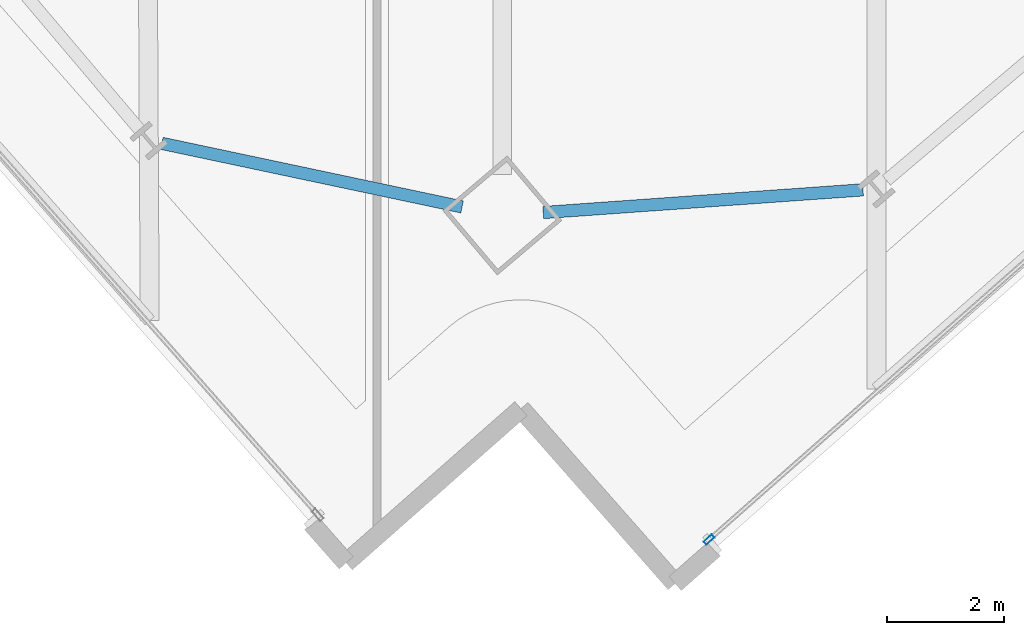
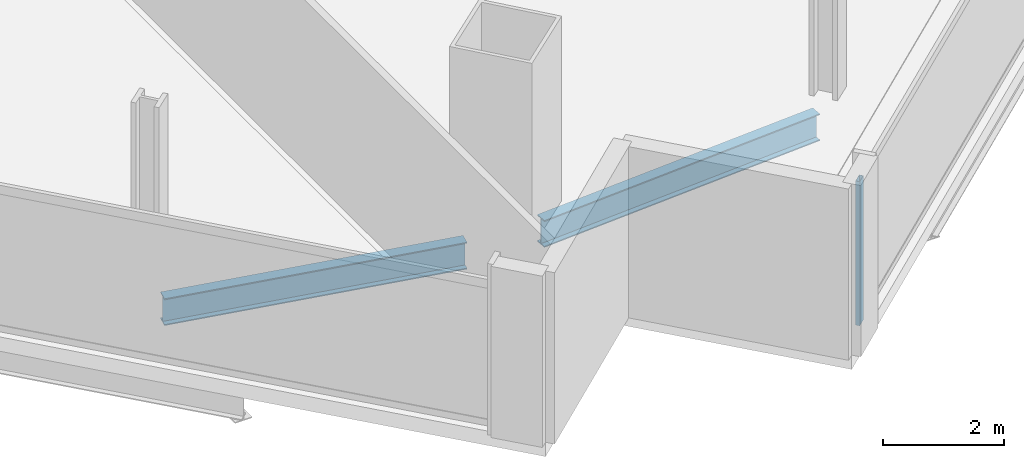
# One storey, part 3 of 34: 2 beams, 1 member, 1 element without a shape of its own.
"""IFC4 building model written with IfcOpenShell, lengths in metres."""

from ifc_helpers import new_model, si_unit, direction, frame, origin, origin_2d, place, context, subcontext, project, spatial, hollow_rectangle, i_section, extrude, material, material_profile, profile_set, type_object, element, aggregate, save


model = new_model("IFC4")

# Units and contexts
model_context = context("Model", 3, precision=1e-05, world=origin(), true_north=direction((0.0, 1.0)))
body_context = subcontext(model_context, "Body", "Model", "MODEL_VIEW")
ifc_project = project(units=[si_unit("LENGTHUNIT", "METRE"), si_unit("AREAUNIT", "SQUARE_METRE"), si_unit("VOLUMEUNIT", "CUBIC_METRE"), si_unit("PLANEANGLEUNIT", "RADIAN"), si_unit("MASSUNIT", "GRAM", prefix="KILO")], contexts=[model_context])

# Site, building, storey
site_placement = place(None, origin())
site = spatial("IfcSite", under=ifc_project, at=site_placement, CompositionType="ELEMENT")
building_placement = place(site_placement, origin())
building = spatial("IfcBuilding", under=site, at=building_placement, Name="Haldenkirk Collegiate Tower", CompositionType="ELEMENT")
storey_placement = place(building_placement, frame((0.0, 0.0, 166.949951171875)))
storey = spatial("IfcBuildingStorey", under=building, at=storey_placement, Name="L41", CompositionType="ELEMENT", Elevation=166.949951171875)

# Beams
ifc_material_1 = material(Name="Steel ASTM A992 Grade 50", Category="steel")
ifc_material_profile_1 = material_profile(ifc_material_1, i_section(OverallWidth=0.2119140625, OverallDepth=0.5439453125, WebThickness=0.01318359375, FlangeThickness=0.021240234375, at=origin_2d()), Name="W21X83")
ifc_profile_set_1 = profile_set([ifc_material_profile_1], Name="Steel ASTM A992 Grade 50")
beam_type = type_object("IfcBeamType", Name="BM-SPANDREL-W21X83", PredefinedType="SPANDREL", material=ifc_profile_set_1)
beam_1_placement = place(storey_placement, frame((33.852294921875, 0.707763671875, -0.56201171875), z_axis=(0.997489017738, 0.070821320891, 0.0), x_axis=(-0.070821320891, 0.997489017738, 0.0)))
element("IfcBeam", 1, at=beam_1_placement, inside=storey, type_object=beam_type, Name="L41 perimeter spandrel beam 01", PredefinedType="SPANDREL", context=body_context, shape_type="SweptSolid", body=[
    extrude(i_section(OverallWidth=0.2119140625, OverallDepth=0.5439453125, WebThickness=0.01318359375, FlangeThickness=0.021240234375, at=origin_2d()), origin(), (0.0, 0.0, 1.0), 5.501953125),
])
beam_2_placement = place(storey_placement, frame((27.306884765625, 1.89501953125, -0.56201171875), z_axis=(0.978307627668, -0.207157393416, 0.0), x_axis=(0.207157393416, 0.978307627668, 0.0)))
element("IfcBeam", 2, at=beam_2_placement, inside=storey, type_object=beam_type, Name="L41 perimeter spandrel beam 16", PredefinedType="SPANDREL", context=body_context, shape_type="SweptSolid", body=[
    extrude(i_section(OverallWidth=0.2119140625, OverallDepth=0.5439453125, WebThickness=0.01318359375, FlangeThickness=0.021240234375, at=origin_2d()), origin(), (0.0, 0.0, 1.0), 5.266845703125),
])

# Curtain wall, member
ifc_material_2 = material(Name="Anodised architectural bronze aluminium", Category="aluminium")
curtain_wall_type = type_object("IfcCurtainWallType", Name="CW-SYS2-CONCAVE", PredefinedType="USERDEFINED", material=ifc_material_2)
curtain_wall_placement = place(storey_placement, origin())
curtain_wall = element("IfcCurtainWall", 3, at=curtain_wall_placement, inside=storey, type_object=curtain_wall_type, Name="L41 South concave recessed bronze-anodised curtain wall", ObjectType="UNITISED CURTAIN WALL", PredefinedType="USERDEFINED")
ifc_material_profile_2 = material_profile(ifc_material_2, hollow_rectangle(XDim=0.074951171875, YDim=0.18994140625, WallThickness=0.0048828125, at=origin_2d()), Name="CW-MUL-02")
ifc_profile_set_2 = profile_set([ifc_material_profile_2], Name="Anodised architectural bronze aluminium")
member_type = type_object("IfcMemberType", Name="CW-MUL-02", PredefinedType="MULLION", material=ifc_profile_set_2)
member_placement = place(storey_placement, frame((36.7001953125, -4.90478515625, 0.0), z_axis=(0.0, 0.0, 1.0), x_axis=(0.661310403519, -0.750112358382, 0.0)))
member = element("IfcMember", 4, at=member_placement, type_object=member_type, Name="CW-02 mullion 5", PredefinedType="MULLION", context=body_context, shape_type="SweptSolid", body=[
    extrude(hollow_rectangle(XDim=0.074951171875, YDim=0.18994140625, WallThickness=0.0048828125, at=origin_2d()), origin(), (0.0, 0.0, 1.0), 2.9111328125),
])
aggregate(curtain_wall, [member])

save(model, "model.ifc")
